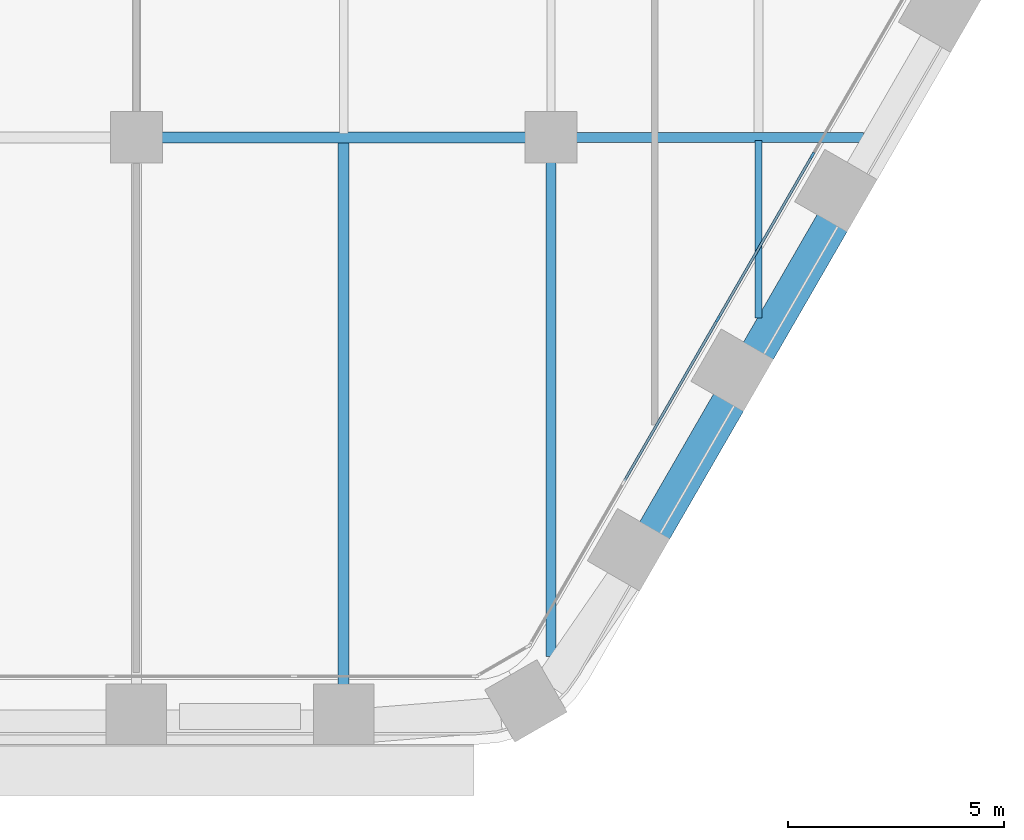
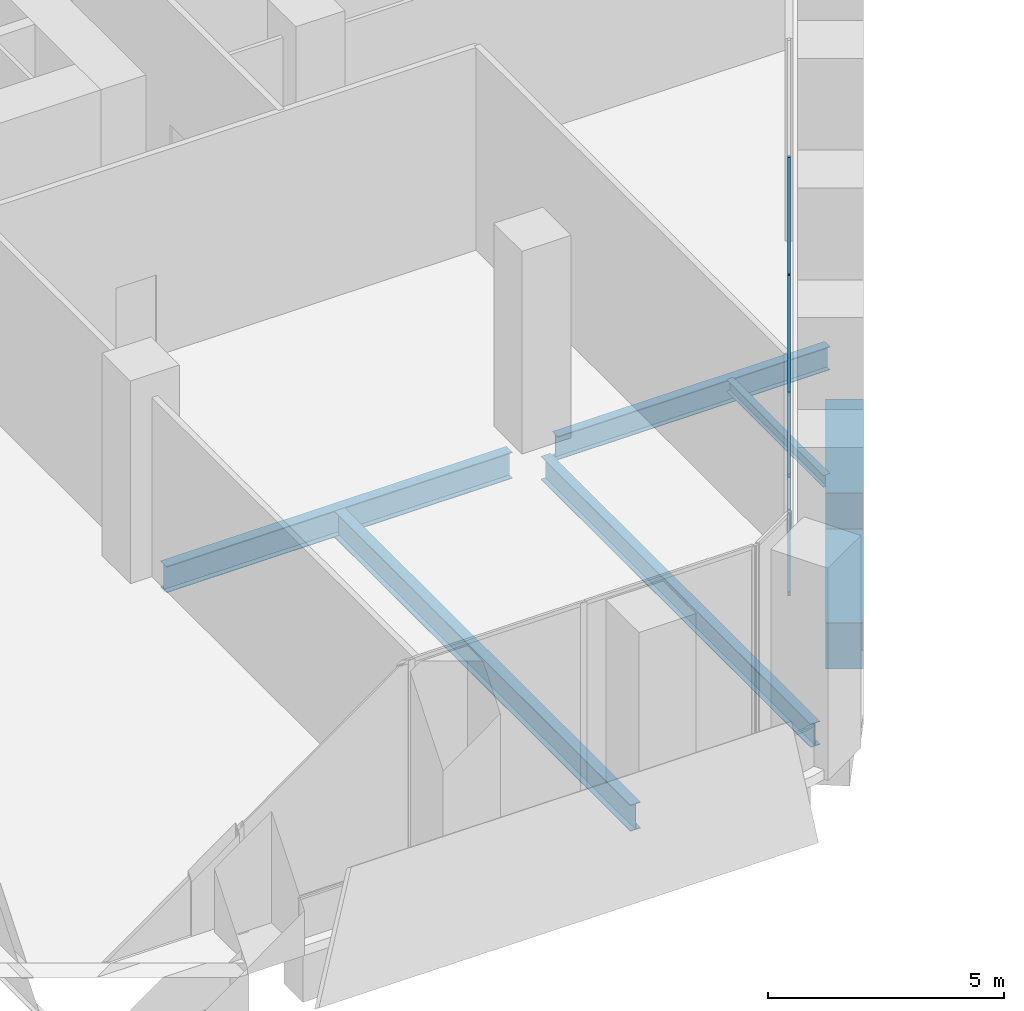
# One storey, part 5 of 30: 7 beams, 6 members, 1 element without a shape of its own.
"""IFC4 building model written with IfcOpenShell, lengths in metres."""

from ifc_helpers import new_model, si_unit, direction, frame, origin, origin_2d, place, context, subcontext, project, spatial, rectangle, i_section, extrude, material, material_profile, profile_set, type_object, element, aggregate, save


model = new_model("IFC4")

# Units and contexts
model_context = context("Model", 3, precision=1e-05, world=origin(), true_north=direction((0.0, 1.0)))
body_context = subcontext(model_context, "Body", "Model", "MODEL_VIEW")
ifc_project = project(units=[si_unit("LENGTHUNIT", "METRE"), si_unit("AREAUNIT", "SQUARE_METRE"), si_unit("VOLUMEUNIT", "CUBIC_METRE"), si_unit("PLANEANGLEUNIT", "RADIAN"), si_unit("MASSUNIT", "GRAM", prefix="KILO")], contexts=[model_context])

# Site, building, storey
site_placement = place(None, origin())
site = spatial("IfcSite", under=ifc_project, at=site_placement, CompositionType="ELEMENT")
building_placement = place(site_placement, origin())
building = spatial("IfcBuilding", under=site, at=building_placement, Name="Kolab Exchange Tower", CompositionType="ELEMENT")
storey_placement = place(building_placement, frame((0.0, 0.0, 38.89990234375)))
storey = spatial("IfcBuildingStorey", under=building, at=storey_placement, Name="L07", CompositionType="ELEMENT", Elevation=38.89990234375)

# Beams
ifc_material_1 = material(Name="Steel S355", Category="steel")
ifc_material_profile_1 = material_profile(ifc_material_1, i_section(OverallWidth=0.1650390625, OverallDepth=0.31005859375, WebThickness=0.005859375, FlangeThickness=0.009765625, at=origin_2d()), Name="W310X39")
ifc_profile_set_1 = profile_set([ifc_material_profile_1], Name="Steel S355")
beam_type_1 = type_object("IfcBeamType", Name="FLOOR BEAM W310X39", PredefinedType="BEAM", material=ifc_profile_set_1)
beam_1_placement = place(storey_placement, frame((24.0, -23.381591796875, -0.40478515625), z_axis=(0.0, 1.0, 0.0), x_axis=(-1.0, 0.0, 0.0)))
element("IfcBeam", 1, at=beam_1_placement, inside=storey, type_object=beam_type_1, Name="beam/L07/fr/052", PredefinedType="BEAM", context=body_context, shape_type="SweptSolid", body=[
    extrude(i_section(OverallWidth=0.1650390625, OverallDepth=0.31005859375, WebThickness=0.005859375, FlangeThickness=0.009765625, at=origin_2d()), origin(), (0.0, 0.0, 1.0), 4.107666015625),
])
ifc_material_profile_2 = material_profile(ifc_material_1, i_section(OverallWidth=0.22802734375, OverallDepth=0.60791015625, WebThickness=0.01123046875, FlangeThickness=0.017333984375, at=origin_2d()), Name="W610X113")
ifc_profile_set_2 = profile_set([ifc_material_profile_2], Name="Steel S355")
beam_type_2 = type_object("IfcBeamType", Name="FLOOR BEAM W610X113", PredefinedType="BEAM", material=ifc_profile_set_2)
beam_2_placement = place(storey_placement, frame((19.199951171875, -31.214599609375, -0.553955078125), z_axis=(0.0, 1.0, 0.0), x_axis=(-1.0, 0.0, 0.0)))
element("IfcBeam", 2, at=beam_2_placement, inside=storey, type_object=beam_type_2, Name="beam/L07/fr/046", PredefinedType="BEAM", context=body_context, shape_type="SweptSolid", body=[
    extrude(i_section(OverallWidth=0.22802734375, OverallDepth=0.60791015625, WebThickness=0.01123046875, FlangeThickness=0.017333984375, at=origin_2d()), origin(), (0.0, 0.0, 1.0), 11.45458984375),
])
ifc_material_profile_3 = material_profile(ifc_material_1, i_section(OverallWidth=0.25390625, OverallDepth=0.68408203125, WebThickness=0.012451171875, FlangeThickness=0.018798828125, at=origin_2d()), Name="W690X140")
ifc_profile_set_3 = profile_set([ifc_material_profile_3], Name="Steel S355")
beam_type_3 = type_object("IfcBeamType", Name="FLOOR BEAM W690X140", PredefinedType="BEAM", material=ifc_profile_set_3)
beam_3_placement = place(storey_placement, frame((14.39990234375, -31.8955078125, -0.591796875), z_axis=(0.0, 1.0, 0.0), x_axis=(-1.0, 0.0, 0.0)))
element("IfcBeam", 3, at=beam_3_placement, inside=storey, type_object=beam_type_3, Name="beam/L07/fr/042", PredefinedType="BEAM", context=body_context, shape_type="SweptSolid", body=[
    extrude(i_section(OverallWidth=0.25390625, OverallDepth=0.68408203125, WebThickness=0.012451171875, FlangeThickness=0.018798828125, at=origin_2d()), origin(), (0.0, 0.0, 1.0), 12.6083984375),
])
ifc_material_profile_4 = material_profile(ifc_material_1, i_section(OverallWidth=0.22802734375, OverallDepth=0.60791015625, WebThickness=0.01123046875, FlangeThickness=0.017333984375, at=origin_2d()), Name="W610X113")
ifc_profile_set_4 = profile_set([ifc_material_profile_4], Name="Steel S355")
beam_type_4 = type_object("IfcBeamType", Name="FLOOR GIRDER W610X113", PredefinedType="BEAM", material=ifc_profile_set_4)
beam_4_placement = place(storey_placement, frame((19.760009765625, -19.199951171875, -0.553955078125), z_axis=(1.0, 0.0, 0.0), x_axis=(0.0, 1.0, 0.0)))
element("IfcBeam", 4, at=beam_4_placement, inside=storey, type_object=beam_type_4, Name="beam/L07/gd/020", PredefinedType="BEAM", context=body_context, shape_type="SweptSolid", body=[
    extrude(i_section(OverallWidth=0.22802734375, OverallDepth=0.60791015625, WebThickness=0.01123046875, FlangeThickness=0.017333984375, at=origin_2d()), origin(), (0.0, 0.0, 1.0), 6.671142578125),
])
ifc_material_profile_5 = material_profile(ifc_material_1, i_section(OverallWidth=0.25390625, OverallDepth=0.68408203125, WebThickness=0.012451171875, FlangeThickness=0.018798828125, at=origin_2d()), Name="W690X140")
ifc_profile_set_5 = profile_set([ifc_material_profile_5], Name="Steel S355")
beam_type_5 = type_object("IfcBeamType", Name="FLOOR GIRDER W690X140", PredefinedType="BEAM", material=ifc_profile_set_5)
beam_5_placement = place(storey_placement, frame((10.159912109375, -19.199951171875, -0.591796875), z_axis=(1.0, 0.0, 0.0), x_axis=(0.0, 1.0, 0.0)))
element("IfcBeam", 5, at=beam_5_placement, inside=storey, type_object=beam_type_5, Name="beam/L07/gd/015", PredefinedType="BEAM", context=body_context, shape_type="SweptSolid", body=[
    extrude(i_section(OverallWidth=0.25390625, OverallDepth=0.68408203125, WebThickness=0.012451171875, FlangeThickness=0.018798828125, at=origin_2d()), origin(), (0.0, 0.0, 1.0), 8.47998046875),
])
ifc_material_2 = material(Name="Concrete C80/95", Category="concrete")
ifc_material_profile_6 = material_profile(ifc_material_2, rectangle(XDim=0.800048828125, YDim=1.199951171875, at=origin_2d()), Name="RC800X1200")
ifc_profile_set_6 = profile_set([ifc_material_profile_6], Name="Concrete C80/95")
beam_type_6 = type_object("IfcBeamType", Name="SPANDREL BEAM 800X1200 C80/95", PredefinedType="BEAM", material=ifc_profile_set_6)
beam_6_placement = place(storey_placement, frame((25.7236328125, -21.15625, -0.849853515625), z_axis=(-0.500009906705, -0.86601968407, 0.0), x_axis=(0.86601968407, -0.500009906705, 0.0)))
element("IfcBeam", 6, at=beam_6_placement, inside=storey, type_object=beam_type_6, Name="beam/L07/sp/F3-06", PredefinedType="BEAM", context=body_context, shape_type="SweptSolid", body=[
    extrude(rectangle(XDim=0.800048828125, YDim=1.199951171875, at=origin_2d()), origin(), (0.0, 0.0, 1.0), 3.47998046875),
])
beam_7_placement = place(storey_placement, frame((23.323486328125, -25.31298828125, -0.849853515625), z_axis=(-0.499979528911, -0.866037222451, 0.0), x_axis=(0.866037222451, -0.499979528911, 0.0)))
element("IfcBeam", 7, at=beam_7_placement, inside=storey, type_object=beam_type_6, Name="beam/L07/sp/F3-07", PredefinedType="BEAM", context=body_context, shape_type="SweptSolid", body=[
    extrude(rectangle(XDim=0.800048828125, YDim=1.199951171875, at=origin_2d()), origin(), (0.0, 0.0, 1.0), 3.480224609375),
])

# Curtain wall, members
ifc_material_3 = material(Name="Aluminium EN AW-6063 T6", Category="aluminium")
curtain_wall_type = type_object("IfcCurtainWallType", Name="UNITISED LOW ZONE CURTAIN WALL", PredefinedType="NOTDEFINED", material=ifc_material_3)
curtain_wall_placement = place(storey_placement, origin())
curtain_wall = element("IfcCurtainWall", 8, at=curtain_wall_placement, inside=storey, type_object=curtain_wall_type, Name="cw/L07/F3-2", PredefinedType="NOTDEFINED")
ifc_material_profile_7 = material_profile(ifc_material_3, rectangle(XDim=0.06005859375, YDim=0.159912109375, at=origin_2d()), Name="RECT 60X160")
ifc_profile_set_7 = profile_set([ifc_material_profile_7], Name="Aluminium EN AW-6063 T6")
member_type_1 = type_object("IfcMemberType", Name="UNITISED LOW ZONE MULLION 60 X 160", PredefinedType="MULLION", material=ifc_profile_set_7)
member_1_placement = place(storey_placement, frame((25.248291015625, -19.61962890625, 0.0), z_axis=(0.0, 0.0, 1.0), x_axis=(0.866025397318, -0.5000000112, 0.0)))
member_1 = element("IfcMember", 9, at=member_1_placement, type_object=member_type_1, Name="CW1 mullion 2", PredefinedType="MULLION", context=body_context, shape_type="SweptSolid", body=[
    extrude(rectangle(XDim=0.06005859375, YDim=0.159912109375, at=origin_2d()), origin(), (0.0, 0.0, 1.0), 5.25),
])
member_2_placement = place(storey_placement, frame((23.064697265625, -23.401611328125, 0.0), z_axis=(0.0, 0.0, 1.0), x_axis=(0.866025397318, -0.5000000112, 0.0)))
member_2 = element("IfcMember", 10, at=member_2_placement, type_object=member_type_1, Name="CW1 mullion 3", PredefinedType="MULLION", context=body_context, shape_type="SweptSolid", body=[
    extrude(rectangle(XDim=0.06005859375, YDim=0.159912109375, at=origin_2d()), origin(), (0.0, 0.0, 1.0), 5.25),
])
ifc_material_profile_8 = material_profile(ifc_material_3, rectangle(XDim=0.06005859375, YDim=0.10009765625, at=origin_2d()), Name="RECT 60X100")
ifc_profile_set_8 = profile_set([ifc_material_profile_8], Name="Aluminium EN AW-6063 T6")
member_type_2 = type_object("IfcMemberType", Name="UNITISED LOW ZONE TRANSOM 60 X 100", PredefinedType="USERDEFINED", material=ifc_profile_set_8)
member_3_placement = place(storey_placement, frame((25.233154296875, -19.6455078125, 0.030029296875), z_axis=(-0.500010313095, -0.866019449435, 0.0), x_axis=(0.866019449435, -0.500010313095, 0.0)))
member_3 = element("IfcMember", 11, at=member_3_placement, type_object=member_type_2, Name="CW1 transom 2.1", ObjectType="TRANSOM", PredefinedType="USERDEFINED", context=body_context, shape_type="SweptSolid", body=[
    extrude(rectangle(XDim=0.06005859375, YDim=0.10009765625, at=origin_2d()), origin(), (0.0, 0.0, 1.0), 4.30712890625),
])
member_4_placement = place(storey_placement, frame((25.233154296875, -19.6455078125, 5.22021484375), z_axis=(-0.500010313095, -0.866019449435, 0.0), x_axis=(0.866019449435, -0.500010313095, 0.0)))
member_4 = element("IfcMember", 12, at=member_4_placement, type_object=member_type_2, Name="CW1 transom 2.2", ObjectType="TRANSOM", PredefinedType="USERDEFINED", context=body_context, shape_type="SweptSolid", body=[
    extrude(rectangle(XDim=0.06005859375, YDim=0.10009765625, at=origin_2d()), origin(), (0.0, 0.0, 1.0), 4.30712890625),
])
member_5_placement = place(storey_placement, frame((23.0498046875, -23.427490234375, 0.030029296875), z_axis=(-0.500010313095, -0.866019449435, 0.0), x_axis=(0.866019449435, -0.500010313095, 0.0)))
member_5 = element("IfcMember", 13, at=member_5_placement, type_object=member_type_2, Name="CW1 transom 3.1", ObjectType="TRANSOM", PredefinedType="USERDEFINED", context=body_context, shape_type="SweptSolid", body=[
    extrude(rectangle(XDim=0.06005859375, YDim=0.10009765625, at=origin_2d()), origin(), (0.0, 0.0, 1.0), 4.30712890625),
])
member_6_placement = place(storey_placement, frame((23.0498046875, -23.427490234375, 5.22021484375), z_axis=(-0.500010313095, -0.866019449435, 0.0), x_axis=(0.866019449435, -0.500010313095, 0.0)))
member_6 = element("IfcMember", 14, at=member_6_placement, type_object=member_type_2, Name="CW1 transom 3.2", ObjectType="TRANSOM", PredefinedType="USERDEFINED", context=body_context, shape_type="SweptSolid", body=[
    extrude(rectangle(XDim=0.06005859375, YDim=0.10009765625, at=origin_2d()), origin(), (0.0, 0.0, 1.0), 4.30712890625),
])
aggregate(curtain_wall, [member_1, member_2, member_3, member_4, member_5, member_6])

save(model, "model.ifc")
